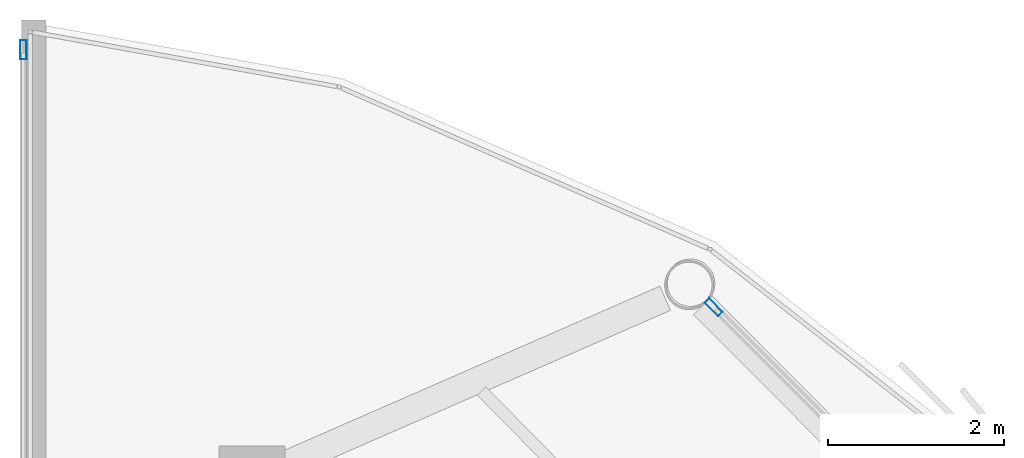
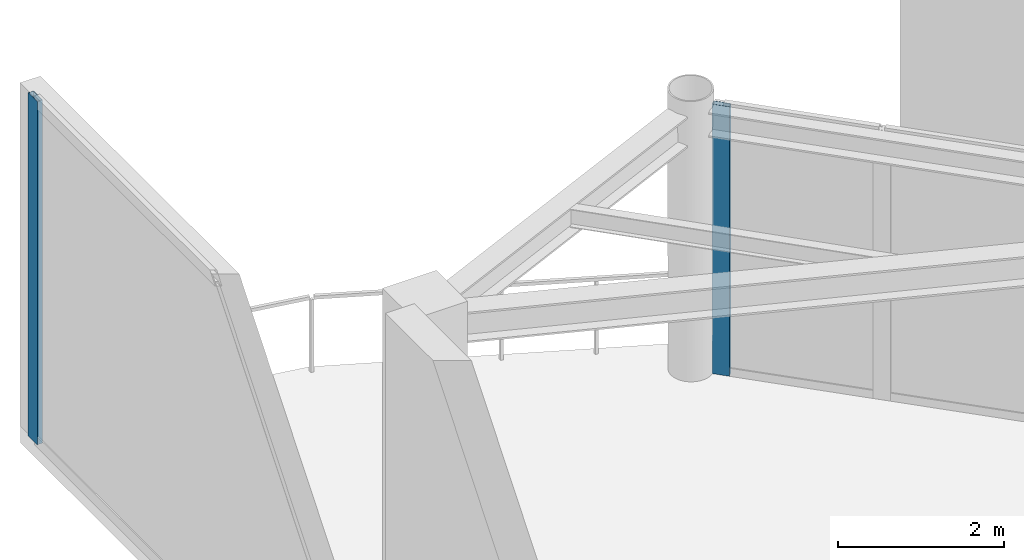
# One storey, part 10 of 13: 2 members, 2 elements without a shape of their own.
"""IFC4 building model written with IfcOpenShell, lengths in metres."""

from ifc_helpers import new_model, si_unit, direction, frame, origin, origin_2d, place, context, subcontext, project, spatial, hollow_rectangle, extrude, material, layer, layer_set, material_profile, profile_set, type_object, element, aggregate, save


model = new_model("IFC4")

# Units and contexts
model_context = context("Model", 3, precision=1e-05, world=origin(), true_north=direction((0.0, 1.0)))
body_context = subcontext(model_context, "Body", "Model", "MODEL_VIEW")
ifc_project = project(units=[si_unit("LENGTHUNIT", "METRE"), si_unit("AREAUNIT", "SQUARE_METRE"), si_unit("VOLUMEUNIT", "CUBIC_METRE"), si_unit("PLANEANGLEUNIT", "RADIAN"), si_unit("MASSUNIT", "GRAM", prefix="KILO")], contexts=[model_context])

# Site, building, storey
site_placement = place(None, origin())
site = spatial("IfcSite", under=ifc_project, at=site_placement, CompositionType="ELEMENT")
building_placement = place(site_placement, origin())
building = spatial("IfcBuilding", under=site, at=building_placement, Name="Varnakorn Sky Granary", CompositionType="ELEMENT")
storey_placement = place(building_placement, frame((0.0, 0.0, 315.0)))
storey = spatial("IfcBuildingStorey", under=building, at=storey_placement, Name="L80", CompositionType="ELEMENT", Elevation=315.0)

# Curtain wall, member
ifc_material = material(Name="Anodised Bronze Aluminium Alloy 6063-T6", Category="aluminium")
ifc_layer = layer(ifc_material, 0.22998046875, Name="Anodised Bronze Aluminium Alloy 6063-T6")
ifc_layer_set = layer_set([ifc_layer], Name="Anodised Bronze Aluminium Alloy 6063-T6")
curtain_wall_type = type_object("IfcCurtainWallType", Name="CW-LNT-1", PredefinedType="USERDEFINED", material=ifc_layer_set)
curtain_wall_1_placement = place(storey_placement, origin())
curtain_wall_1 = element("IfcCurtainWall", 1, at=curtain_wall_1_placement, inside=storey, type_object=curtain_wall_type, Name="Unitised Curtain Wall CW7 CW-L80-B02", ObjectType="CURTAIN WALL", PredefinedType="USERDEFINED")
ifc_material_profile = material_profile(ifc_material, hollow_rectangle(XDim=0.074951171875, YDim=0.219970703125, WallThickness=0.00390625, at=origin_2d()), Name="ALU MULL 75x220")
ifc_profile_set = profile_set([ifc_material_profile], Name="Anodised Bronze Aluminium Alloy 6063-T6")
member_type = type_object("IfcMemberType", Name="CW-LNT-1-MULL", PredefinedType="MULLION", material=ifc_profile_set)
member_1_placement = place(storey_placement, frame((13.666748046875, 14.5732421875, 0.0), z_axis=(0.0, 0.0, 1.0), x_axis=(0.707827489254, 0.706385337798, 0.0)))
member_1 = element("IfcMember", 2, at=member_1_placement, type_object=member_type, Name="CW7 mullion 1", PredefinedType="MULLION", context=body_context, shape_type="SweptSolid", body=[
    extrude(hollow_rectangle(XDim=0.074951171875, YDim=0.219970703125, WallThickness=0.00390625, at=origin_2d()), origin(), (0.0, 0.0, 1.0), 3.9599609375),
])
aggregate(curtain_wall_1, [member_1])

curtain_wall_2_placement = place(storey_placement, origin())
curtain_wall_2 = element("IfcCurtainWall", 3, at=curtain_wall_2_placement, inside=storey, type_object=curtain_wall_type, Name="Unitised Curtain Wall CW7 CW-L80-SLANT", ObjectType="CURTAIN WALL", PredefinedType="USERDEFINED")
member_2_placement = place(storey_placement, frame((5.820068359375, 17.498046875, 0.0), z_axis=(0.0, 0.0, 1.0), x_axis=(-1.0, 0.0, 0.0)))
member_2 = element("IfcMember", 4, at=member_2_placement, type_object=member_type, Name="CW7 mullion 3", PredefinedType="MULLION", context=body_context, shape_type="SweptSolid", body=[
    extrude(hollow_rectangle(XDim=0.074951171875, YDim=0.219970703125, WallThickness=0.00390625, at=origin_2d()), origin(), (0.0, 0.0, 1.0), 5.043701171875),
])
aggregate(curtain_wall_2, [member_2])

save(model, "model.ifc")
